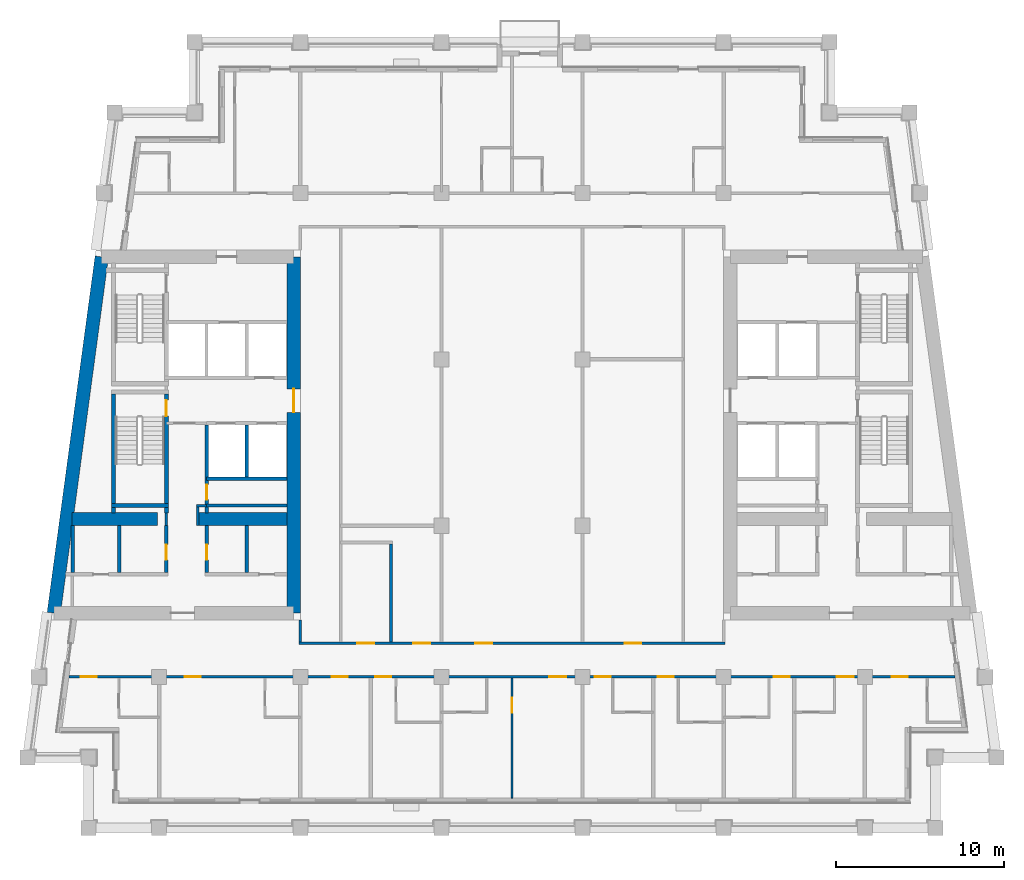
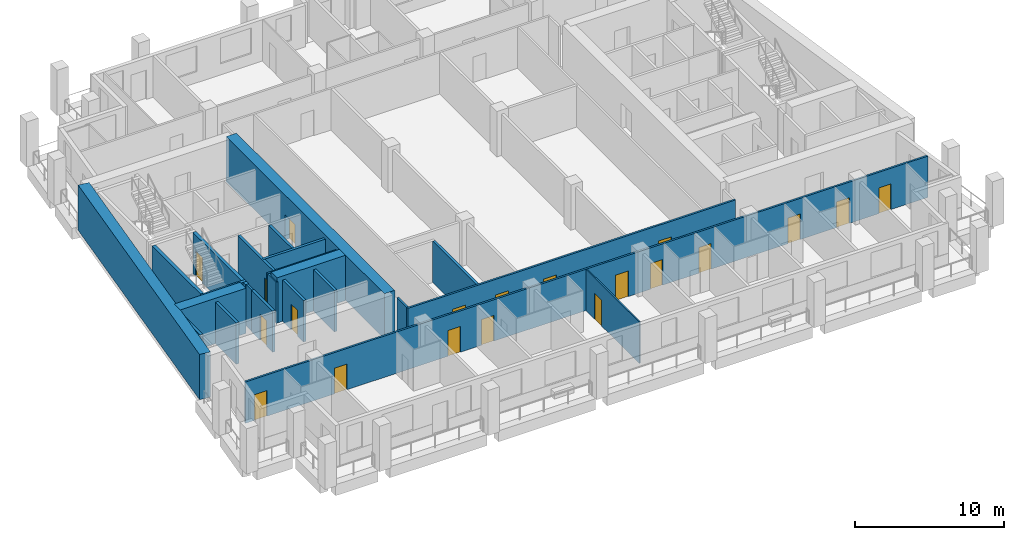
# One storey, part 3 of 12: 24 walls, 20 doors, 20 openings.
"""IFC4 building model written with IfcOpenShell, lengths in metres."""

import ifcopenshell
import ifcopenshell.guid

model = None  # the IFC model being written
_history = None  # IfcOwnerHistory: only IFC2X3 demands one
_inside = {}  # id of a spatial element -> (the spatial element, [elements in it])
_under = {}  # id of a project, library or spatial element -> (it, [spatial elements below it])
_declared = {}  # id of a project -> (the project, [libraries it declares])
_typed = {}  # id of a type object -> (the type object, [elements of that type])
_made_of = {}  # id of a material, layer set ... -> (it, [elements and type objects made of it])


def new_model(schema):
    """Start an empty IFC model of exactly this schema.

    Asked for "IFC4X3", IfcOpenShell would pick the latest addendum, in which some entities
    have other attributes; the version numbers below select the first issue.
    IFC2X3 requires an IfcOwnerHistory on every rooted entity: one is made here for all.
    """
    global model, _history
    if schema == "IFC4X3":
        model = ifcopenshell.file(schema_version=(4, 3, 0, 0))
    else:
        model = ifcopenshell.file(schema=schema)
    _inside.clear()
    _under.clear()
    _declared.clear()
    _typed.clear()
    _made_of.clear()
    _history = None
    if model.schema == "IFC2X3":
        org = make("IfcOrganization", Name="unknown")
        user = make(
            "IfcPersonAndOrganization",
            ThePerson=make("IfcPerson", FamilyName="unknown"),
            TheOrganization=org,
        )
        app = make(
            "IfcApplication",
            ApplicationDeveloper=org,
            Version="unknown",
            ApplicationFullName="unknown",
            ApplicationIdentifier="unknown",
        )
        _history = make(
            "IfcOwnerHistory",
            OwningUser=user,
            OwningApplication=app,
            ChangeAction="ADDED",
            CreationDate=0,
        )
    return model


def make(cls, **values):
    """One entity of the class cls with the attributes given. An attribute that is None is left unset."""
    return model.create_entity(
        cls, **{name: value for name, value in values.items() if value is not None}
    )


def rooted(cls, **values):
    """An entity with a GlobalId (a new one), such as an element, a storey or a relation."""
    return make(cls, GlobalId=ifcopenshell.guid.new(), OwnerHistory=_history, **values)


def si_unit(unit_type, name, prefix=None):
    """IfcSIUnit, for example si_unit("LENGTHUNIT", "METRE", prefix="MILLI")."""
    return make("IfcSIUnit", UnitType=unit_type, Prefix=prefix, Name=name)


def assignment(units):
    """IfcUnitAssignment: the units of a project."""
    return None if units is None else make("IfcUnitAssignment", Units=units)


def point(xyz):
    """IfcCartesianPoint."""
    return None if xyz is None else make("IfcCartesianPoint", Coordinates=xyz)


def direction(xyz):
    """IfcDirection."""
    return None if xyz is None else make("IfcDirection", DirectionRatios=xyz)


def frame(location, z_axis=None, x_axis=None):
    """IfcAxis2Placement3D, a coordinate frame: its origin and axes. An axis left out is left unset."""
    return make(
        "IfcAxis2Placement3D",
        Location=point(location),
        Axis=direction(z_axis),
        RefDirection=direction(x_axis),
    )


def frame_2d(location, x_axis=None):
    """IfcAxis2Placement2D, a coordinate frame in the plane: its origin and x axis."""
    return make(
        "IfcAxis2Placement2D", Location=point(location), RefDirection=direction(x_axis)
    )


def origin():
    """The frame at (0, 0, 0) with its axes left unset."""
    return frame((0.0, 0.0, 0.0))


def place(relative_to, where):
    """IfcLocalPlacement: puts the frame where relative to a parent placement (None: the world)."""
    return make(
        "IfcLocalPlacement", PlacementRelTo=relative_to, RelativePlacement=where
    )


def context(
    kind, dimensions, precision=None, world=None, true_north=None, identifier=None
):
    """IfcGeometricRepresentationContext, for example the 3D "Model" context."""
    return make(
        "IfcGeometricRepresentationContext",
        ContextIdentifier=identifier,
        ContextType=kind,
        CoordinateSpaceDimension=dimensions,
        Precision=precision,
        WorldCoordinateSystem=world,
        TrueNorth=true_north,
    )


def subcontext(parent, identifier, kind, view, scale=None):
    """IfcGeometricRepresentationSubContext, for example "Body" below "Model"."""
    return make(
        "IfcGeometricRepresentationSubContext",
        ContextIdentifier=identifier,
        ContextType=kind,
        ParentContext=parent,
        TargetScale=scale,
        TargetView=view,
    )


def project(units=None, contexts=None):
    """IfcProject with its units and contexts."""
    return rooted(
        "IfcProject",
        Name="project",
        RepresentationContexts=contexts,
        UnitsInContext=assignment(units),
    )


def spatial(cls, under=None, at=None, **own):
    """A site, building, storey or space (cls), placed at a placement, below another one or the project."""
    s = rooted(cls, ObjectPlacement=at, **own)
    if under is not None:
        _under.setdefault(under.id(), (under, []))[1].append(s)
    return s


def profile(cls, at=None, kind="AREA", **sizes):
    """A parametric profile (cls). Its sizes go by their IFC names, for example OverallWidth=200.0."""
    return make(cls, ProfileType=kind, Position=at, **sizes)


def rectangle(**sizes):
    """IfcRectangleProfileDef."""
    return profile("IfcRectangleProfileDef", **sizes)


def extrude(swept, where, along, depth):
    """IfcExtrudedAreaSolid: the profile swept, set in the frame where, extruded along a direction by depth."""
    return make(
        "IfcExtrudedAreaSolid",
        SweptArea=swept,
        Position=where,
        ExtrudedDirection=direction(along),
        Depth=depth,
    )


def shape(context_of_items, identifier, shape_type, items):
    """IfcShapeRepresentation: the items that make up one representation, for example the "Body"."""
    return make(
        "IfcShapeRepresentation",
        ContextOfItems=context_of_items,
        RepresentationIdentifier=identifier,
        RepresentationType=shape_type,
        Items=items,
    )


def material(Name=None, Category=None):
    """IfcMaterial."""
    return make("IfcMaterial", Name=Name, Category=Category)


def layer(
    of_material, thickness, ventilated=None, Name=None, Category=None, Priority=None
):
    """IfcMaterialLayer: one layer of a wall or slab, of a material (None: an air gap)."""
    return make(
        "IfcMaterialLayer",
        Material=of_material,
        LayerThickness=thickness,
        IsVentilated=ventilated,
        Name=Name,
        Category=Category,
        Priority=Priority,
    )


def layer_set(layers, Name=None):
    """IfcMaterialLayerSet."""
    return make("IfcMaterialLayerSet", MaterialLayers=layers, LayerSetName=Name)


def made_of(thing, what):
    """Note that an element or type object is made of a material, layer set ...; save() writes the relation."""
    if what is not None:
        _made_of.setdefault(what.id(), (what, []))[1].append(thing)
    return thing


def type_object(cls, material=None, **own):
    """A type object (cls), such as IfcWallType, which elements share."""
    return made_of(rooted(cls, **own), material)


def element(
    cls,
    number,
    at=None,
    inside=None,
    cuts=None,
    type_object=None,
    material=None,
    context=None,
    identifier="Body",
    shape_type=None,
    held_by="IfcProductDefinitionShape",
    body=None,
    shapes=None,
    **own,
):
    """One element of the class cls, such as IfcWall. Its Tag is "e" and its number.

    at: its placement. inside: the storey or other place that contains it. cuts: it is an
    opening in that element (IfcRelVoidsElement). A single representation is given by context,
    identifier, shape_type and body (its items); several are given by shapes. held_by: the class
    of the entity that holds the representations. save() writes the other relations.
    """
    e = rooted(cls, Tag="e%d" % number, ObjectPlacement=at, **own)
    if body is not None:
        shapes = [shape(context, identifier, shape_type, body)]
    if shapes is not None:
        e.Representation = make(held_by, Representations=shapes)
    if inside is not None:
        _inside.setdefault(inside.id(), (inside, []))[1].append(e)
    if cuts is not None:
        rooted(
            "IfcRelVoidsElement", RelatingBuildingElement=cuts, RelatedOpeningElement=e
        )
    if type_object is not None:
        _typed.setdefault(type_object.id(), (type_object, []))[1].append(e)
    return made_of(e, material)


def fill(opening, filler):
    """IfcRelFillsElement: the door or window that sits in an opening."""
    return rooted(
        "IfcRelFillsElement",
        RelatingOpeningElement=opening,
        RelatedBuildingElement=filler,
    )


def aggregate(whole, parts):
    """IfcRelAggregates: a whole, such as a stair, and the parts it consists of."""
    return rooted("IfcRelAggregates", RelatingObject=whole, RelatedObjects=parts)


def save(model, path):
    """Write the relations noted so far, then the file.

    IfcRelAggregates (storeys below a building ...), IfcRelContainedInSpatialStructure (elements
    in a storey), IfcRelDefinesByType, IfcRelAssociatesMaterial and IfcRelDeclares: one each for
    every whole, place, type object, material and project.
    """
    for whole, parts in _under.values():
        aggregate(whole, parts)
    for where, things in _inside.values():
        rooted(
            "IfcRelContainedInSpatialStructure",
            RelatedElements=things,
            RelatingStructure=where,
        )
    for kind, things in _typed.values():
        rooted("IfcRelDefinesByType", RelatedObjects=things, RelatingType=kind)
    for what, things in _made_of.values():
        rooted("IfcRelAssociatesMaterial", RelatedObjects=things, RelatingMaterial=what)
    for by, libraries in _declared.values():
        rooted("IfcRelDeclares", RelatingContext=by, RelatedDefinitions=libraries)
    model.write(path)


model = new_model("IFC4")

# Units and contexts
model_context = context("Model", 3, precision=1e-05, world=origin(), true_north=direction((0.0, 1.0)))
body_context = subcontext(model_context, "Body", "Model", "MODEL_VIEW")
ifc_project = project(units=[si_unit("LENGTHUNIT", "METRE"), si_unit("AREAUNIT", "SQUARE_METRE"), si_unit("VOLUMEUNIT", "CUBIC_METRE"), si_unit("PLANEANGLEUNIT", "RADIAN"), si_unit("MASSUNIT", "GRAM", prefix="KILO")], contexts=[model_context])

# Site, building, storey
site_placement = place(None, origin())
site = spatial("IfcSite", under=ifc_project, at=site_placement, CompositionType="ELEMENT")
building_placement = place(site_placement, origin())
building = spatial("IfcBuilding", under=site, at=building_placement, Name="Candeia Pilgrim Tower and Theatre", CompositionType="ELEMENT")
storey_placement = place(building_placement, frame((0.0, 0.0, 228.10009765625)))
storey = spatial("IfcBuildingStorey", under=building, at=storey_placement, Name="L55", CompositionType="ELEMENT", Elevation=228.10009765625)

# Wall, opening, door
ifc_material_1 = material(Name="Concrete C50/60", Category="concrete")
ifc_layer_1 = layer(ifc_material_1, 0.800048828125)
ifc_layer_set_1 = layer_set([ifc_layer_1], Name="Core wall 800 C50/60")
wall_type_1 = type_object("IfcWallType", Name="Core wall 800 C50/60", PredefinedType="SHEAR", material=ifc_layer_set_1)
wall_1_placement = place(storey_placement, frame((100.39990234375, 132.0, 0.0), z_axis=(0.0, 0.0, 1.0), x_axis=(0.0, -1.0, 0.0)))
wall_1 = element("IfcWall", 1, at=wall_1_placement, inside=storey, type_object=wall_type_1, Name="Core wall W2", PredefinedType="SHEAR", context=body_context, shape_type="SweptSolid", body=[
    extrude(rectangle(XDim=21.199951171875, YDim=0.800048828125, at=frame_2d((10.60009765625, 0.0))), origin(), (0.0, 0.0, 1.0), 3.699951171875),
])
opening_1_placement = place(wall_1_placement, frame((7.85009765625, 0.0, 0.0)))
opening_1 = element("IfcOpeningElement", 2, at=opening_1_placement, cuts=wall_1, Name="Opening L55-D056", PredefinedType="OPENING", context=body_context, shape_type="SweptSolid", body=[
    extrude(rectangle(XDim=1.39990234375, YDim=2.10009765625, at=frame_2d((0.699951171875, 1.050048828125))), frame((0.0, 0.41015625, 0.0), z_axis=(0.0, -1.0, 0.0), x_axis=(1.0, 0.0, 0.0)), (0.0, 0.0, 1.0), 0.820068359375),
])
ifc_material_2 = material(Name="Steel fire door set", Category="steel")
door_type_1 = type_object("IfcDoorType", Name="D-1400-FD60", OperationType="NOTDEFINED", PredefinedType="DOOR", material=ifc_material_2)
door_1_placement = place(opening_1_placement, origin())
door_1 = element("IfcDoor", 3, at=door_1_placement, inside=storey, type_object=door_type_1, Name="Door L55-D056", OperationType="SINGLE_SWING_LEFT", OverallHeight=2.10009765625, OverallWidth=1.39990234375, PredefinedType="DOOR", context=body_context, shape_type="SweptSolid", body=[
    extrude(rectangle(XDim=1.39990234375, YDim=2.10009765625, at=frame_2d((0.699951171875, 1.050048828125))), frame((0.0, 0.02490234375, 0.0), z_axis=(0.0, -1.0, 0.0), x_axis=(1.0, 0.0, 0.0)), (0.0, 0.0, 1.0), 0.050048828125),
])
fill(opening_1, door_1)

# Walls
wall_2_placement = place(storey_placement, frame((86.126708984375, 110.800048828125, 0.0), z_axis=(0.0, 0.0, 1.0), x_axis=(0.133408347329, 0.991061154956, 0.0)))
element("IfcWall", 4, at=wall_2_placement, inside=storey, type_object=wall_type_1, Name="Core wall W4", PredefinedType="SHEAR", context=body_context, shape_type="SweptSolid", body=[
    extrude(rectangle(XDim=21.39111328125, YDim=0.800048828125, at=frame_2d((10.695556640625, 0.0))), origin(), (0.0, 0.0, 1.0), 3.699951171875),
])
wall_3_placement = place(storey_placement, frame((87.22314453125, 116.39990234375, 0.0), z_axis=(0.0, 0.0, 1.0), x_axis=(1.0, 0.0, 0.0)))
element("IfcWall", 5, at=wall_3_placement, inside=storey, type_object=wall_type_1, Name="Core wall W5", PredefinedType="SHEAR", context=body_context, shape_type="SweptSolid", body=[
    extrude(rectangle(XDim=5.076904296875, YDim=0.800048828125, at=frame_2d((2.53857421875, 0.0))), origin(), (0.0, 0.0, 1.0), 3.699951171875),
])
wall_4_placement = place(storey_placement, frame((94.699951171875, 116.39990234375, 0.0), z_axis=(0.0, 0.0, 1.0), x_axis=(1.0, 0.0, 0.0)))
element("IfcWall", 6, at=wall_4_placement, inside=storey, type_object=wall_type_1, Name="Core wall W6", PredefinedType="SHEAR", context=body_context, shape_type="SweptSolid", body=[
    extrude(rectangle(XDim=5.300048828125, YDim=0.800048828125, at=frame_2d((2.64990234375, 0.0))), origin(), (0.0, 0.0, 1.0), 3.699951171875),
])

# Wall, opening, door
ifc_material_3 = material(Name="Gypsum board partition on steel studs", Category="steel")
ifc_layer_2 = layer(ifc_material_3, 0.10009765625)
ifc_layer_set_2 = layer_set([ifc_layer_2], Name="PW-100 room partition")
wall_type_2 = type_object("IfcWallType", Name="PW-100 room partition", PredefinedType="PARTITIONING", material=ifc_layer_set_2)
wall_5_placement = place(storey_placement, frame((113.39990234375, 99.7900390625, 0.0), z_axis=(0.0, 0.0, 1.0), x_axis=(0.0, 1.0, 0.0)))
wall_5 = element("IfcWall", 7, at=wall_5_placement, inside=storey, type_object=wall_type_2, Name="Room partition L55-084", PredefinedType="PARTITIONING", context=body_context, shape_type="SweptSolid", body=[
    extrude(rectangle(XDim=7.135009765625, YDim=0.10009765625, at=frame_2d((3.5673828125, 0.0))), origin(), (0.0, 0.0, 1.0), 3.3798828125),
])
opening_2_placement = place(wall_5_placement, frame((5.074951171875, 0.0, 0.0)))
opening_2 = element("IfcOpeningElement", 8, at=opening_2_placement, cuts=wall_5, Name="Opening L55-D025", PredefinedType="OPENING", context=body_context, shape_type="SweptSolid", body=[
    extrude(rectangle(XDim=0.89990234375, YDim=2.10009765625, at=frame_2d((0.449951171875, 1.050048828125))), frame((0.0, 0.06005859375, 0.0), z_axis=(0.0, -1.0, 0.0), x_axis=(1.0, 0.0, 0.0)), (0.0, 0.0, 1.0), 0.1201171875),
])
ifc_material_4 = material(Name="Timber door leaf", Category="wood")
door_type_2 = type_object("IfcDoorType", Name="D-900", OperationType="NOTDEFINED", PredefinedType="DOOR", material=ifc_material_4)
door_2_placement = place(opening_2_placement, origin())
door_2 = element("IfcDoor", 9, at=door_2_placement, inside=storey, type_object=door_type_2, Name="Door L55-D025", OperationType="SINGLE_SWING_RIGHT", OverallHeight=2.10009765625, OverallWidth=0.89990234375, PredefinedType="DOOR", context=body_context, shape_type="SweptSolid", body=[
    extrude(rectangle(XDim=0.89990234375, YDim=2.10009765625, at=frame_2d((0.449951171875, 1.050048828125))), frame((0.0, 0.02490234375, 0.0), z_axis=(0.0, -1.0, 0.0), x_axis=(1.0, 0.0, 0.0)), (0.0, 0.0, 1.0), 0.050048828125),
])
fill(opening_2, door_2)

# Walls
ifc_layer_3 = layer(ifc_material_3, 0.14990234375)
ifc_layer_set_3 = layer_set([ifc_layer_3], Name="PW-150 lobby wall")
wall_type_3 = type_object("IfcWallType", Name="PW-150 lobby wall", PredefinedType="PARTITIONING", material=ifc_layer_set_3)
wall_6_placement = place(storey_placement, frame((94.625, 117.199951171875, 0.0), z_axis=(0.0, 0.0, 1.0), x_axis=(1.0, 0.0, 0.0)))
element("IfcWall", 10, at=wall_6_placement, inside=storey, type_object=wall_type_3, Name="Lobby wall L55-020", PredefinedType="PARTITIONING", context=body_context, shape_type="SweptSolid", body=[
    extrude(rectangle(XDim=0.60205078125, YDim=0.14990234375, at=frame_2d((0.301025390625, 0.0))), origin(), (0.0, 0.0, 1.0), 3.3798828125),
])
wall_7_placement = place(storey_placement, frame((92.826904296875, 116.0, 0.0), z_axis=(0.0, 0.0, 1.0), x_axis=(0.0, 1.0, 0.0)))
element("IfcWall", 11, at=wall_7_placement, inside=storey, type_object=wall_type_3, Name="Lobby wall L55-057", PredefinedType="PARTITIONING", context=body_context, shape_type="SweptSolid", body=[
    extrude(rectangle(XDim=0.77001953125, YDim=0.14990234375, at=frame_2d((0.385009765625, 0.0))), origin(), (0.0, 0.0, 1.0), 3.3798828125),
])
wall_8_placement = place(storey_placement, frame((94.699951171875, 116.0, 0.0), z_axis=(0.0, 0.0, 1.0), x_axis=(0.0, 1.0, 0.0)))
element("IfcWall", 12, at=wall_8_placement, inside=storey, type_object=wall_type_3, Name="Lobby wall L55-062", PredefinedType="PARTITIONING", context=body_context, shape_type="SweptSolid", body=[
    extrude(rectangle(XDim=1.125, YDim=0.14990234375, at=frame_2d((0.5625, 0.0))), origin(), (0.0, 0.0, 1.0), 3.3798828125),
])

# Wall, openings, doors
ifc_layer_4 = layer(ifc_material_3, 0.14990234375)
ifc_layer_set_4 = layer_set([ifc_layer_4], Name="PW-150 unit wall")
wall_type_4 = type_object("IfcWallType", Name="PW-150 unit wall", PredefinedType="PARTITIONING", material=ifc_layer_set_4)
wall_9_placement = place(storey_placement, frame((87.017578125, 107.0, 0.0), z_axis=(0.0, 0.0, 1.0), x_axis=(1.0, 0.0, 0.0)))
wall_9 = element("IfcWall", 13, at=wall_9_placement, inside=storey, type_object=wall_type_4, Name="Unit wall L55-010", PredefinedType="PARTITIONING", context=body_context, shape_type="SweptSolid", body=[
    extrude(rectangle(XDim=52.7646484375, YDim=0.14990234375, at=frame_2d((26.38232421875, 0.0))), origin(), (0.0, 0.0, 1.0), 3.3798828125),
])
opening_3_placement = place(wall_9_placement, frame((0.707275390625, 0.0, 0.0)))
opening_3 = element("IfcOpeningElement", 14, at=opening_3_placement, cuts=wall_9, Name="Opening L55-D017", PredefinedType="OPENING", context=body_context, shape_type="SweptSolid", body=[
    extrude(rectangle(XDim=0.949951171875, YDim=2.10009765625, at=frame_2d((0.47509765625, 1.050048828125))), frame((0.0, 0.0849609375, 0.0), z_axis=(0.0, -1.0, 0.0), x_axis=(1.0, 0.0, 0.0)), (0.0, 0.0, 1.0), 0.169921875),
])
opening_4_placement = place(wall_9_placement, frame((6.894287109375, 0.0, 0.0)))
opening_4 = element("IfcOpeningElement", 15, at=opening_4_placement, cuts=wall_9, Name="Opening L55-D019", PredefinedType="OPENING", context=body_context, shape_type="SweptSolid", body=[
    extrude(rectangle(XDim=0.949951171875, YDim=2.10009765625, at=frame_2d((0.47509765625, 1.050048828125))), frame((0.0, 0.0849609375, 0.0), z_axis=(0.0, -1.0, 0.0), x_axis=(1.0, 0.0, 0.0)), (0.0, 0.0, 1.0), 0.169921875),
])
opening_5_placement = place(wall_9_placement, frame((15.662353515625, 0.0, 0.0)))
opening_5 = element("IfcOpeningElement", 16, at=opening_5_placement, cuts=wall_9, Name="Opening L55-D021", PredefinedType="OPENING", context=body_context, shape_type="SweptSolid", body=[
    extrude(rectangle(XDim=0.949951171875, YDim=2.10009765625, at=frame_2d((0.47509765625, 1.050048828125))), frame((0.0, 0.0849609375, 0.0), z_axis=(0.0, -1.0, 0.0), x_axis=(1.0, 0.0, 0.0)), (0.0, 0.0, 1.0), 0.169921875),
])
opening_6_placement = place(wall_9_placement, frame((18.25732421875, 0.0, 0.0)))
opening_6 = element("IfcOpeningElement", 17, at=opening_6_placement, cuts=wall_9, Name="Opening L55-D022", PredefinedType="OPENING", context=body_context, shape_type="SweptSolid", body=[
    extrude(rectangle(XDim=0.949951171875, YDim=2.10009765625, at=frame_2d((0.47509765625, 1.050048828125))), frame((0.0, 0.0849609375, 0.0), z_axis=(0.0, -1.0, 0.0), x_axis=(1.0, 0.0, 0.0)), (0.0, 0.0, 1.0), 0.169921875),
])
opening_7_placement = place(wall_9_placement, frame((28.607421875, 0.0, 0.0)))
opening_7 = element("IfcOpeningElement", 18, at=opening_7_placement, cuts=wall_9, Name="Opening L55-D024", PredefinedType="OPENING", context=body_context, shape_type="SweptSolid", body=[
    extrude(rectangle(XDim=1.0, YDim=2.10009765625, at=frame_2d((0.5, 1.050048828125))), frame((0.0, 0.0849609375, 0.0), z_axis=(0.0, -1.0, 0.0), x_axis=(1.0, 0.0, 0.0)), (0.0, 0.0, 1.0), 0.169921875),
])
opening_8_placement = place(wall_9_placement, frame((31.30224609375, 0.0, 0.0)))
opening_8 = element("IfcOpeningElement", 19, at=opening_8_placement, cuts=wall_9, Name="Opening L55-D027", PredefinedType="OPENING", context=body_context, shape_type="SweptSolid", body=[
    extrude(rectangle(XDim=0.949951171875, YDim=2.10009765625, at=frame_2d((0.47509765625, 1.050048828125))), frame((0.0, 0.0849609375, 0.0), z_axis=(0.0, -1.0, 0.0), x_axis=(1.0, 0.0, 0.0)), (0.0, 0.0, 1.0), 0.169921875),
])
opening_9_placement = place(wall_9_placement, frame((35.057373046875, 0.0, 0.0)))
opening_9 = element("IfcOpeningElement", 20, at=opening_9_placement, cuts=wall_9, Name="Opening L55-D029", PredefinedType="OPENING", context=body_context, shape_type="SweptSolid", body=[
    extrude(rectangle(XDim=0.949951171875, YDim=2.10009765625, at=frame_2d((0.47509765625, 1.050048828125))), frame((0.0, 0.0849609375, 0.0), z_axis=(0.0, -1.0, 0.0), x_axis=(1.0, 0.0, 0.0)), (0.0, 0.0, 1.0), 0.169921875),
])
opening_10_placement = place(wall_9_placement, frame((41.957275390625, 0.0, 0.0)))
opening_10 = element("IfcOpeningElement", 21, at=opening_10_placement, cuts=wall_9, Name="Opening L55-D031", PredefinedType="OPENING", context=body_context, shape_type="SweptSolid", body=[
    extrude(rectangle(XDim=0.949951171875, YDim=2.10009765625, at=frame_2d((0.47509765625, 1.050048828125))), frame((0.0, 0.0849609375, 0.0), z_axis=(0.0, -1.0, 0.0), x_axis=(1.0, 0.0, 0.0)), (0.0, 0.0, 1.0), 0.169921875),
])
opening_11_placement = place(wall_9_placement, frame((45.71240234375, 0.0, 0.0)))
opening_11 = element("IfcOpeningElement", 22, at=opening_11_placement, cuts=wall_9, Name="Opening L55-D033", PredefinedType="OPENING", context=body_context, shape_type="SweptSolid", body=[
    extrude(rectangle(XDim=1.0, YDim=2.10009765625, at=frame_2d((0.5, 1.050048828125))), frame((0.0, 0.0849609375, 0.0), z_axis=(0.0, -1.0, 0.0), x_axis=(1.0, 0.0, 0.0)), (0.0, 0.0, 1.0), 0.169921875),
])
opening_12_placement = place(wall_9_placement, frame((48.974365234375, 0.0, 0.0)))
opening_12 = element("IfcOpeningElement", 23, at=opening_12_placement, cuts=wall_9, Name="Opening L55-D035", PredefinedType="OPENING", context=body_context, shape_type="SweptSolid", body=[
    extrude(rectangle(XDim=0.949951171875, YDim=2.10009765625, at=frame_2d((0.47509765625, 1.050048828125))), frame((0.0, 0.0849609375, 0.0), z_axis=(0.0, -1.0, 0.0), x_axis=(1.0, 0.0, 0.0)), (0.0, 0.0, 1.0), 0.169921875),
])
door_type_3 = type_object("IfcDoorType", Name="D-1000-FD30S", OperationType="NOTDEFINED", PredefinedType="DOOR", material=ifc_material_2)
door_3_placement = place(opening_7_placement, origin())
door_3 = element("IfcDoor", 24, at=door_3_placement, inside=storey, type_object=door_type_3, Name="Door L55-D024", OperationType="SINGLE_SWING_LEFT", OverallHeight=2.10009765625, OverallWidth=1.0, PredefinedType="DOOR", context=body_context, shape_type="SweptSolid", body=[
    extrude(rectangle(XDim=1.0, YDim=2.10009765625, at=frame_2d((0.5, 1.050048828125))), frame((0.0, 0.02490234375, 0.0), z_axis=(0.0, -1.0, 0.0), x_axis=(1.0, 0.0, 0.0)), (0.0, 0.0, 1.0), 0.050048828125),
])
fill(opening_7, door_3)
door_4_placement = place(opening_11_placement, origin())
door_4 = element("IfcDoor", 25, at=door_4_placement, inside=storey, type_object=door_type_3, Name="Door L55-D033", OperationType="SINGLE_SWING_RIGHT", OverallHeight=2.10009765625, OverallWidth=1.0, PredefinedType="DOOR", context=body_context, shape_type="SweptSolid", body=[
    extrude(rectangle(XDim=1.0, YDim=2.10009765625, at=frame_2d((0.5, 1.050048828125))), frame((0.0, 0.02490234375, 0.0), z_axis=(0.0, -1.0, 0.0), x_axis=(1.0, 0.0, 0.0)), (0.0, 0.0, 1.0), 0.050048828125),
])
fill(opening_11, door_4)
door_type_4 = type_object("IfcDoorType", Name="D-950-FD30S", OperationType="NOTDEFINED", PredefinedType="DOOR", material=ifc_material_2)
door_5_placement = place(opening_3_placement, origin())
door_5 = element("IfcDoor", 26, at=door_5_placement, inside=storey, type_object=door_type_4, Name="Door L55-D017", OperationType="SINGLE_SWING_RIGHT", OverallHeight=2.10009765625, OverallWidth=0.949951171875, PredefinedType="DOOR", context=body_context, shape_type="SweptSolid", body=[
    extrude(rectangle(XDim=0.949951171875, YDim=2.10009765625, at=frame_2d((0.47509765625, 1.050048828125))), frame((0.0, 0.02490234375, 0.0), z_axis=(0.0, -1.0, 0.0), x_axis=(1.0, 0.0, 0.0)), (0.0, 0.0, 1.0), 0.050048828125),
])
fill(opening_3, door_5)
door_6_placement = place(opening_4_placement, origin())
door_6 = element("IfcDoor", 27, at=door_6_placement, inside=storey, type_object=door_type_4, Name="Door L55-D019", OperationType="SINGLE_SWING_RIGHT", OverallHeight=2.10009765625, OverallWidth=0.949951171875, PredefinedType="DOOR", context=body_context, shape_type="SweptSolid", body=[
    extrude(rectangle(XDim=0.949951171875, YDim=2.10009765625, at=frame_2d((0.47509765625, 1.050048828125))), frame((0.0, 0.02490234375, 0.0), z_axis=(0.0, -1.0, 0.0), x_axis=(1.0, 0.0, 0.0)), (0.0, 0.0, 1.0), 0.050048828125),
])
fill(opening_4, door_6)
door_7_placement = place(opening_5_placement, origin())
door_7 = element("IfcDoor", 28, at=door_7_placement, inside=storey, type_object=door_type_4, Name="Door L55-D021", OperationType="SINGLE_SWING_RIGHT", OverallHeight=2.10009765625, OverallWidth=0.949951171875, PredefinedType="DOOR", context=body_context, shape_type="SweptSolid", body=[
    extrude(rectangle(XDim=0.949951171875, YDim=2.10009765625, at=frame_2d((0.47509765625, 1.050048828125))), frame((0.0, 0.02490234375, 0.0), z_axis=(0.0, -1.0, 0.0), x_axis=(1.0, 0.0, 0.0)), (0.0, 0.0, 1.0), 0.050048828125),
])
fill(opening_5, door_7)
door_8_placement = place(opening_6_placement, origin())
door_8 = element("IfcDoor", 29, at=door_8_placement, inside=storey, type_object=door_type_4, Name="Door L55-D022", OperationType="SINGLE_SWING_LEFT", OverallHeight=2.10009765625, OverallWidth=0.949951171875, PredefinedType="DOOR", context=body_context, shape_type="SweptSolid", body=[
    extrude(rectangle(XDim=0.949951171875, YDim=2.10009765625, at=frame_2d((0.47509765625, 1.050048828125))), frame((0.0, 0.02490234375, 0.0), z_axis=(0.0, -1.0, 0.0), x_axis=(1.0, 0.0, 0.0)), (0.0, 0.0, 1.0), 0.050048828125),
])
fill(opening_6, door_8)
door_9_placement = place(opening_8_placement, origin())
door_9 = element("IfcDoor", 30, at=door_9_placement, inside=storey, type_object=door_type_4, Name="Door L55-D027", OperationType="SINGLE_SWING_RIGHT", OverallHeight=2.10009765625, OverallWidth=0.949951171875, PredefinedType="DOOR", context=body_context, shape_type="SweptSolid", body=[
    extrude(rectangle(XDim=0.949951171875, YDim=2.10009765625, at=frame_2d((0.47509765625, 1.050048828125))), frame((0.0, 0.02490234375, 0.0), z_axis=(0.0, -1.0, 0.0), x_axis=(1.0, 0.0, 0.0)), (0.0, 0.0, 1.0), 0.050048828125),
])
fill(opening_8, door_9)
door_10_placement = place(opening_9_placement, origin())
door_10 = element("IfcDoor", 31, at=door_10_placement, inside=storey, type_object=door_type_4, Name="Door L55-D029", OperationType="SINGLE_SWING_RIGHT", OverallHeight=2.10009765625, OverallWidth=0.949951171875, PredefinedType="DOOR", context=body_context, shape_type="SweptSolid", body=[
    extrude(rectangle(XDim=0.949951171875, YDim=2.10009765625, at=frame_2d((0.47509765625, 1.050048828125))), frame((0.0, 0.02490234375, 0.0), z_axis=(0.0, -1.0, 0.0), x_axis=(1.0, 0.0, 0.0)), (0.0, 0.0, 1.0), 0.050048828125),
])
fill(opening_9, door_10)
door_11_placement = place(opening_10_placement, origin())
door_11 = element("IfcDoor", 32, at=door_11_placement, inside=storey, type_object=door_type_4, Name="Door L55-D031", OperationType="SINGLE_SWING_RIGHT", OverallHeight=2.10009765625, OverallWidth=0.949951171875, PredefinedType="DOOR", context=body_context, shape_type="SweptSolid", body=[
    extrude(rectangle(XDim=0.949951171875, YDim=2.10009765625, at=frame_2d((0.47509765625, 1.050048828125))), frame((0.0, 0.02490234375, 0.0), z_axis=(0.0, -1.0, 0.0), x_axis=(1.0, 0.0, 0.0)), (0.0, 0.0, 1.0), 0.050048828125),
])
fill(opening_10, door_11)
door_12_placement = place(opening_12_placement, origin())
door_12 = element("IfcDoor", 33, at=door_12_placement, inside=storey, type_object=door_type_4, Name="Door L55-D035", OperationType="SINGLE_SWING_RIGHT", OverallHeight=2.10009765625, OverallWidth=0.949951171875, PredefinedType="DOOR", context=body_context, shape_type="SweptSolid", body=[
    extrude(rectangle(XDim=0.949951171875, YDim=2.10009765625, at=frame_2d((0.47509765625, 1.050048828125))), frame((0.0, 0.02490234375, 0.0), z_axis=(0.0, -1.0, 0.0), x_axis=(1.0, 0.0, 0.0)), (0.0, 0.0, 1.0), 0.050048828125),
])
fill(opening_12, door_12)

wall_10_placement = place(storey_placement, frame((100.72509765625, 109.0, 0.0), z_axis=(0.0, 0.0, 1.0), x_axis=(1.0, 0.0, 0.0)))
wall_10 = element("IfcWall", 34, at=wall_10_placement, inside=storey, type_object=wall_type_4, Name="Unit wall L55-011", PredefinedType="PARTITIONING", context=body_context, shape_type="SweptSolid", body=[
    extrude(rectangle(XDim=25.349853515625, YDim=0.14990234375, at=frame_2d((12.6748046875, 0.0))), origin(), (0.0, 0.0, 1.0), 3.3798828125),
])
opening_13_placement = place(wall_10_placement, frame((6.800048828125, 0.0, 0.0)))
opening_13 = element("IfcOpeningElement", 35, at=opening_13_placement, cuts=wall_10, Name="Opening L55-D048", PredefinedType="OPENING", context=body_context, shape_type="SweptSolid", body=[
    extrude(rectangle(XDim=1.0, YDim=2.10009765625, at=frame_2d((0.5, 1.050048828125))), frame((0.0, 0.0849609375, 0.0), z_axis=(0.0, -1.0, 0.0), x_axis=(1.0, 0.0, 0.0)), (0.0, 0.0, 1.0), 0.169921875),
])
opening_14_placement = place(wall_10_placement, frame((3.47509765625, 0.0, 0.0)))
opening_14 = element("IfcOpeningElement", 36, at=opening_14_placement, cuts=wall_10, Name="Opening L55-D049", PredefinedType="OPENING", context=body_context, shape_type="SweptSolid", body=[
    extrude(rectangle(XDim=1.0, YDim=2.10009765625, at=frame_2d((0.5, 1.050048828125))), frame((0.0, 0.0849609375, 0.0), z_axis=(0.0, -1.0, 0.0), x_axis=(1.0, 0.0, 0.0)), (0.0, 0.0, 1.0), 0.169921875),
])
opening_15_placement = place(wall_10_placement, frame((10.5, 0.0, 0.0)))
opening_15 = element("IfcOpeningElement", 37, at=opening_15_placement, cuts=wall_10, Name="Opening L55-D051", PredefinedType="OPENING", context=body_context, shape_type="SweptSolid", body=[
    extrude(rectangle(XDim=1.0, YDim=2.10009765625, at=frame_2d((0.5, 1.050048828125))), frame((0.0, 0.0849609375, 0.0), z_axis=(0.0, -1.0, 0.0), x_axis=(1.0, 0.0, 0.0)), (0.0, 0.0, 1.0), 0.169921875),
])
opening_16_placement = place(wall_10_placement, frame((19.375, 0.0, 0.0)))
opening_16 = element("IfcOpeningElement", 38, at=opening_16_placement, cuts=wall_10, Name="Opening L55-D052", PredefinedType="OPENING", context=body_context, shape_type="SweptSolid", body=[
    extrude(rectangle(XDim=1.0, YDim=2.10009765625, at=frame_2d((0.5, 1.050048828125))), frame((0.0, 0.0849609375, 0.0), z_axis=(0.0, -1.0, 0.0), x_axis=(1.0, 0.0, 0.0)), (0.0, 0.0, 1.0), 0.169921875),
])
door_13_placement = place(opening_13_placement, origin())
door_13 = element("IfcDoor", 39, at=door_13_placement, inside=storey, type_object=door_type_3, Name="Door L55-D048", OperationType="SINGLE_SWING_LEFT", OverallHeight=2.10009765625, OverallWidth=1.0, PredefinedType="DOOR", context=body_context, shape_type="SweptSolid", body=[
    extrude(rectangle(XDim=1.0, YDim=2.10009765625, at=frame_2d((0.5, 1.050048828125))), frame((0.0, 0.02490234375, 0.0), z_axis=(0.0, -1.0, 0.0), x_axis=(1.0, 0.0, 0.0)), (0.0, 0.0, 1.0), 0.050048828125),
])
fill(opening_13, door_13)
door_14_placement = place(opening_14_placement, origin())
door_14 = element("IfcDoor", 40, at=door_14_placement, inside=storey, type_object=door_type_3, Name="Door L55-D049", OperationType="SINGLE_SWING_RIGHT", OverallHeight=2.10009765625, OverallWidth=1.0, PredefinedType="DOOR", context=body_context, shape_type="SweptSolid", body=[
    extrude(rectangle(XDim=1.0, YDim=2.10009765625, at=frame_2d((0.5, 1.050048828125))), frame((0.0, 0.02490234375, 0.0), z_axis=(0.0, -1.0, 0.0), x_axis=(1.0, 0.0, 0.0)), (0.0, 0.0, 1.0), 0.050048828125),
])
fill(opening_14, door_14)
door_15_placement = place(opening_15_placement, origin())
door_15 = element("IfcDoor", 41, at=door_15_placement, inside=storey, type_object=door_type_3, Name="Door L55-D051", OperationType="SINGLE_SWING_RIGHT", OverallHeight=2.10009765625, OverallWidth=1.0, PredefinedType="DOOR", context=body_context, shape_type="SweptSolid", body=[
    extrude(rectangle(XDim=1.0, YDim=2.10009765625, at=frame_2d((0.5, 1.050048828125))), frame((0.0, 0.02490234375, 0.0), z_axis=(0.0, -1.0, 0.0), x_axis=(1.0, 0.0, 0.0)), (0.0, 0.0, 1.0), 0.050048828125),
])
fill(opening_15, door_15)
door_16_placement = place(opening_16_placement, origin())
door_16 = element("IfcDoor", 42, at=door_16_placement, inside=storey, type_object=door_type_3, Name="Door L55-D052", OperationType="SINGLE_SWING_LEFT", OverallHeight=2.10009765625, OverallWidth=1.0, PredefinedType="DOOR", context=body_context, shape_type="SweptSolid", body=[
    extrude(rectangle(XDim=1.0, YDim=2.10009765625, at=frame_2d((0.5, 1.050048828125))), frame((0.0, 0.02490234375, 0.0), z_axis=(0.0, -1.0, 0.0), x_axis=(1.0, 0.0, 0.0)), (0.0, 0.0, 1.0), 0.050048828125),
])
fill(opening_16, door_16)

# Walls
wall_11_placement = place(storey_placement, frame((100.800048828125, 109.074951171875, 0.0), z_axis=(0.0, 0.0, 1.0), x_axis=(0.0, 1.0, 0.0)))
element("IfcWall", 43, at=wall_11_placement, inside=storey, type_object=wall_type_4, Name="Unit wall L55-073", PredefinedType="PARTITIONING", context=body_context, shape_type="SweptSolid", body=[
    extrude(rectangle(XDim=1.324951171875, YDim=0.14990234375, at=frame_2d((0.66259765625, 0.0))), origin(), (0.0, 0.0, 1.0), 3.3798828125),
])
ifc_layer_5 = layer(ifc_material_3, 0.199951171875)
ifc_layer_set_5 = layer_set([ifc_layer_5], Name="PW-200 party wall")
wall_type_5 = type_object("IfcWallType", Name="PW-200 party wall", PredefinedType="PARTITIONING", material=ifc_layer_set_5)
wall_12_placement = place(storey_placement, frame((106.199951171875, 109.074951171875, 0.0), z_axis=(0.0, 0.0, 1.0), x_axis=(0.0, 1.0, 0.0)))
element("IfcWall", 44, at=wall_12_placement, inside=storey, type_object=wall_type_5, Name="Party wall L55-077", PredefinedType="PARTITIONING", context=body_context, shape_type="SweptSolid", body=[
    extrude(rectangle(XDim=5.824951171875, YDim=0.199951171875, at=frame_2d((2.91259765625, 0.0))), origin(), (0.0, 0.0, 1.0), 3.3798828125),
])
ifc_material_5 = material(Name="Concrete C40/50", Category="concrete")
ifc_layer_6 = layer(ifc_material_5, 0.199951171875)
ifc_layer_set_6 = layer_set([ifc_layer_6], Name="SW-200 shaft wall")
wall_type_6 = type_object("IfcWallType", Name="SW-200 shaft wall", PredefinedType="PARTITIONING", material=ifc_layer_set_6)
for number, where, z_axis, x_axis, name in (
    (45, (95.22705078125, 117.199951171875, 0.0), (0.0, 0.0, 1.0), (1.0, 0.0, 0.0), "Shaft wall L55-018"),
    (46, (95.22705078125, 118.800048828125, 0.0), (0.0, 0.0, 1.0), (1.0, 0.0, 0.0), "Shaft wall L55-024"),
):
    element("IfcWall", number, at=place(storey_placement, frame(where, z_axis=z_axis, x_axis=x_axis)), inside=storey, type_object=wall_type_6, Name=name, PredefinedType="PARTITIONING", context=body_context, shape_type="SweptSolid", body=[
        extrude(rectangle(XDim=4.77294921875, YDim=0.199951171875, at=frame_2d((2.386474609375, 0.0))), origin(), (0.0, 0.0, 1.0), 3.3798828125),
    ])
for number, where, z_axis, x_axis, name in (
    (47, (87.24951171875, 113.199951171875, 0.0), (0.0, 0.0, 1.0), (0.0, 1.0, 0.0), "Shaft wall L55-049"),
    (48, (90.027099609375, 113.199951171875, 0.0), (0.0, 0.0, 1.0), (0.0, 1.0, 0.0), "Shaft wall L55-054"),
):
    element("IfcWall", number, at=place(storey_placement, frame(where, z_axis=z_axis, x_axis=x_axis)), inside=storey, type_object=wall_type_6, Name=name, PredefinedType="PARTITIONING", context=body_context, shape_type="SweptSolid", body=[
        extrude(rectangle(XDim=2.800048828125, YDim=0.199951171875, at=frame_2d((1.39990234375, 0.0))), origin(), (0.0, 0.0, 1.0), 3.3798828125),
    ])

# Wall, opening, door
wall_13_placement = place(storey_placement, frame((92.826904296875, 113.199951171875, 0.0), z_axis=(0.0, 0.0, 1.0), x_axis=(0.0, 1.0, 0.0)))
wall_13 = element("IfcWall", 49, at=wall_13_placement, inside=storey, type_object=wall_type_6, Name="Shaft wall L55-056", PredefinedType="PARTITIONING", context=body_context, shape_type="SweptSolid", body=[
    extrude(rectangle(XDim=2.800048828125, YDim=0.199951171875, at=frame_2d((1.39990234375, 0.0))), origin(), (0.0, 0.0, 1.0), 3.3798828125),
])
opening_17_placement = place(wall_13_placement, frame((0.77001953125, 0.0, 0.0)))
opening_17 = element("IfcOpeningElement", 50, at=opening_17_placement, cuts=wall_13, Name="Opening L55-D006", PredefinedType="OPENING", context=body_context, shape_type="SweptSolid", body=[
    extrude(rectangle(XDim=0.89990234375, YDim=2.10009765625, at=frame_2d((0.449951171875, 1.050048828125))), frame((0.0, 0.10986328125, 0.0), z_axis=(0.0, -1.0, 0.0), x_axis=(1.0, 0.0, 0.0)), (0.0, 0.0, 1.0), 0.219970703125),
])
door_type_5 = type_object("IfcDoorType", Name="D-900-FD60", OperationType="NOTDEFINED", PredefinedType="DOOR", material=ifc_material_2)
door_17_placement = place(opening_17_placement, origin())
door_17 = element("IfcDoor", 51, at=door_17_placement, inside=storey, type_object=door_type_5, Name="Door L55-D006", OperationType="SINGLE_SWING_LEFT", OverallHeight=2.10009765625, OverallWidth=0.89990234375, PredefinedType="DOOR", context=body_context, shape_type="SweptSolid", body=[
    extrude(rectangle(XDim=0.89990234375, YDim=2.10009765625, at=frame_2d((0.449951171875, 1.050048828125))), frame((0.0, 0.02490234375, 0.0), z_axis=(0.0, -1.0, 0.0), x_axis=(1.0, 0.0, 0.0)), (0.0, 0.0, 1.0), 0.050048828125),
])
fill(opening_17, door_17)

wall_14_placement = place(storey_placement, frame((95.22705078125, 113.199951171875, 0.0), z_axis=(0.0, 0.0, 1.0), x_axis=(0.0, 1.0, 0.0)))
wall_14 = element("IfcWall", 52, at=wall_14_placement, inside=storey, type_object=wall_type_6, Name="Shaft wall L55-064", PredefinedType="PARTITIONING", context=body_context, shape_type="SweptSolid", body=[
    extrude(rectangle(XDim=2.800048828125, YDim=0.199951171875, at=frame_2d((1.39990234375, 0.0))), origin(), (0.0, 0.0, 1.0), 3.3798828125),
])
opening_18_placement = place(wall_14_placement, frame((0.77001953125, 0.0, 0.0)))
opening_18 = element("IfcOpeningElement", 53, at=opening_18_placement, cuts=wall_14, Name="Opening L55-D007", PredefinedType="OPENING", context=body_context, shape_type="SweptSolid", body=[
    extrude(rectangle(XDim=0.89990234375, YDim=2.10009765625, at=frame_2d((0.449951171875, 1.050048828125))), frame((0.0, 0.10986328125, 0.0), z_axis=(0.0, -1.0, 0.0), x_axis=(1.0, 0.0, 0.0)), (0.0, 0.0, 1.0), 0.219970703125),
])
door_18_placement = place(opening_18_placement, origin())
door_18 = element("IfcDoor", 54, at=door_18_placement, inside=storey, type_object=door_type_5, Name="Door L55-D007", OperationType="SINGLE_SWING_RIGHT", OverallHeight=2.10009765625, OverallWidth=0.89990234375, PredefinedType="DOOR", context=body_context, shape_type="SweptSolid", body=[
    extrude(rectangle(XDim=0.89990234375, YDim=2.10009765625, at=frame_2d((0.449951171875, 1.050048828125))), frame((0.0, 0.02490234375, 0.0), z_axis=(0.0, -1.0, 0.0), x_axis=(1.0, 0.0, 0.0)), (0.0, 0.0, 1.0), 0.050048828125),
])
fill(opening_18, door_18)

wall_15_placement = place(storey_placement, frame((95.22705078125, 116.77001953125, 0.0), z_axis=(0.0, 0.0, 1.0), x_axis=(0.0, 1.0, 0.0)))
wall_15 = element("IfcWall", 55, at=wall_15_placement, inside=storey, type_object=wall_type_6, Name="Shaft wall L55-065", PredefinedType="PARTITIONING", context=body_context, shape_type="SweptSolid", body=[
    extrude(rectangle(XDim=5.22998046875, YDim=0.199951171875, at=frame_2d((2.614990234375, 0.0))), origin(), (0.0, 0.0, 1.0), 3.3798828125),
])
opening_19_placement = place(wall_15_placement, frame((0.780029296875, 0.0, 0.0)))
opening_19 = element("IfcOpeningElement", 56, at=opening_19_placement, cuts=wall_15, Name="Opening L55-D004", PredefinedType="OPENING", context=body_context, shape_type="SweptSolid", body=[
    extrude(rectangle(XDim=0.89990234375, YDim=2.10009765625, at=frame_2d((0.449951171875, 1.050048828125))), frame((0.0, 0.10986328125, 0.0), z_axis=(0.0, -1.0, 0.0), x_axis=(1.0, 0.0, 0.0)), (0.0, 0.0, 1.0), 0.219970703125),
])
door_19_placement = place(opening_19_placement, origin())
door_19 = element("IfcDoor", 57, at=door_19_placement, inside=storey, type_object=door_type_5, Name="Door L55-D004", OperationType="SINGLE_SWING_LEFT", OverallHeight=2.10009765625, OverallWidth=0.89990234375, PredefinedType="DOOR", context=body_context, shape_type="SweptSolid", body=[
    extrude(rectangle(XDim=0.89990234375, YDim=2.10009765625, at=frame_2d((0.449951171875, 1.050048828125))), frame((0.0, 0.02490234375, 0.0), z_axis=(0.0, -1.0, 0.0), x_axis=(1.0, 0.0, 0.0)), (0.0, 0.0, 1.0), 0.050048828125),
])
fill(opening_19, door_19)

# Walls
wall_16_placement = place(storey_placement, frame((97.613525390625, 113.199951171875, 0.0), z_axis=(0.0, 0.0, 1.0), x_axis=(0.0, 1.0, 0.0)))
element("IfcWall", 58, at=wall_16_placement, inside=storey, type_object=wall_type_6, Name="Shaft wall L55-068", PredefinedType="PARTITIONING", context=body_context, shape_type="SweptSolid", body=[
    extrude(rectangle(XDim=2.800048828125, YDim=0.199951171875, at=frame_2d((1.39990234375, 0.0))), origin(), (0.0, 0.0, 1.0), 3.3798828125),
])
wall_17_placement = place(storey_placement, frame((97.613525390625, 118.89990234375, 0.0), z_axis=(0.0, 0.0, 1.0), x_axis=(0.0, 1.0, 0.0)))
element("IfcWall", 59, at=wall_17_placement, inside=storey, type_object=wall_type_6, Name="Shaft wall L55-069", PredefinedType="PARTITIONING", context=body_context, shape_type="SweptSolid", body=[
    extrude(rectangle(XDim=3.10009765625, YDim=0.199951171875, at=frame_2d((1.550048828125, 0.0))), origin(), (0.0, 0.0, 1.0), 3.3798828125),
])
ifc_layer_7 = layer(ifc_material_5, 0.25)
ifc_layer_set_7 = layer_set([ifc_layer_7], Name="SW-250 stair wall")
wall_type_7 = type_object("IfcWallType", Name="SW-250 stair wall", PredefinedType="PARTITIONING", material=ifc_layer_set_7)
wall_18_placement = place(storey_placement, frame((89.552001953125, 117.199951171875, 0.0), z_axis=(0.0, 0.0, 1.0), x_axis=(1.0, 0.0, 0.0)))
element("IfcWall", 60, at=wall_18_placement, inside=storey, type_object=wall_type_7, Name="Stair wall L55-022", PredefinedType="PARTITIONING", context=body_context, shape_type="SweptSolid", body=[
    extrude(rectangle(XDim=3.39990234375, YDim=0.25, at=frame_2d((1.699951171875, 0.0))), origin(), (0.0, 0.0, 1.0), 3.3798828125),
])
wall_19_placement = place(storey_placement, frame((89.677001953125, 116.77001953125, 0.0), z_axis=(0.0, 0.0, 1.0), x_axis=(0.0, 1.0, 0.0)))
element("IfcWall", 61, at=wall_19_placement, inside=storey, type_object=wall_type_7, Name="Stair wall L55-051", PredefinedType="PARTITIONING", context=body_context, shape_type="SweptSolid", body=[
    extrude(rectangle(XDim=7.054931640625, YDim=0.25, at=frame_2d((3.52734375, 0.0))), origin(), (0.0, 0.0, 1.0), 3.3798828125),
])

# Wall, opening, door
wall_20_placement = place(storey_placement, frame((92.826904296875, 116.77001953125, 0.0), z_axis=(0.0, 0.0, 1.0), x_axis=(0.0, 1.0, 0.0)))
wall_20 = element("IfcWall", 62, at=wall_20_placement, inside=storey, type_object=wall_type_7, Name="Stair wall L55-059", PredefinedType="PARTITIONING", context=body_context, shape_type="SweptSolid", body=[
    extrude(rectangle(XDim=7.054931640625, YDim=0.25, at=frame_2d((3.52734375, 0.0))), origin(), (0.0, 0.0, 1.0), 3.3798828125),
])
opening_20_placement = place(wall_20_placement, frame((5.7548828125, 0.0, 0.0)))
opening_20 = element("IfcOpeningElement", 63, at=opening_20_placement, cuts=wall_20, Name="Opening L55-D002", PredefinedType="OPENING", context=body_context, shape_type="SweptSolid", body=[
    extrude(rectangle(XDim=0.949951171875, YDim=2.10009765625, at=frame_2d((0.47509765625, 1.050048828125))), frame((0.0, 0.135009765625, 0.0), z_axis=(0.0, -1.0, 0.0), x_axis=(1.0, 0.0, 0.0)), (0.0, 0.0, 1.0), 0.27001953125),
])
door_type_6 = type_object("IfcDoorType", Name="D-950-FD60", OperationType="NOTDEFINED", PredefinedType="DOOR", material=ifc_material_2)
door_20_placement = place(opening_20_placement, origin())
door_20 = element("IfcDoor", 64, at=door_20_placement, inside=storey, type_object=door_type_6, Name="Door L55-D002", OperationType="SINGLE_SWING_LEFT", OverallHeight=2.10009765625, OverallWidth=0.949951171875, PredefinedType="DOOR", context=body_context, shape_type="SweptSolid", body=[
    extrude(rectangle(XDim=0.949951171875, YDim=2.10009765625, at=frame_2d((0.47509765625, 1.050048828125))), frame((0.0, 0.02490234375, 0.0), z_axis=(0.0, -1.0, 0.0), x_axis=(1.0, 0.0, 0.0)), (0.0, 0.0, 1.0), 0.050048828125),
])
fill(opening_20, door_20)

save(model, "model.ifc")
